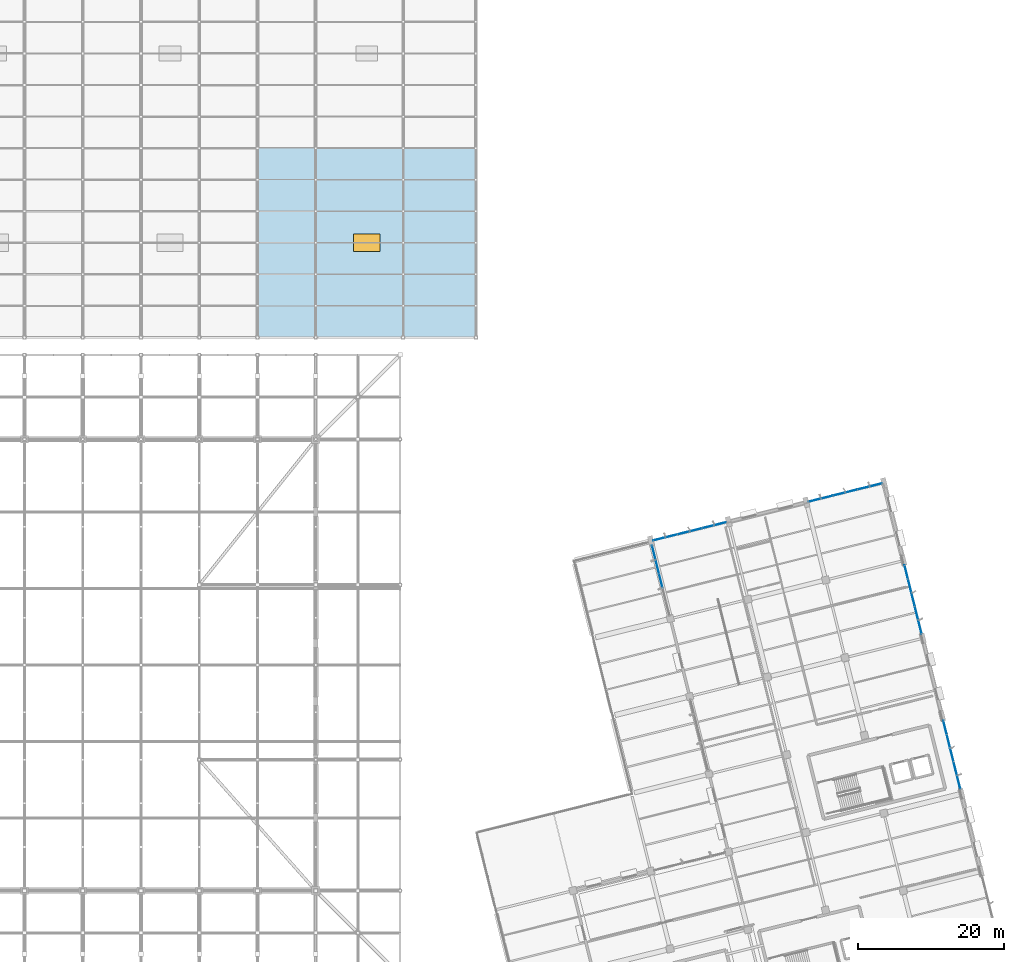
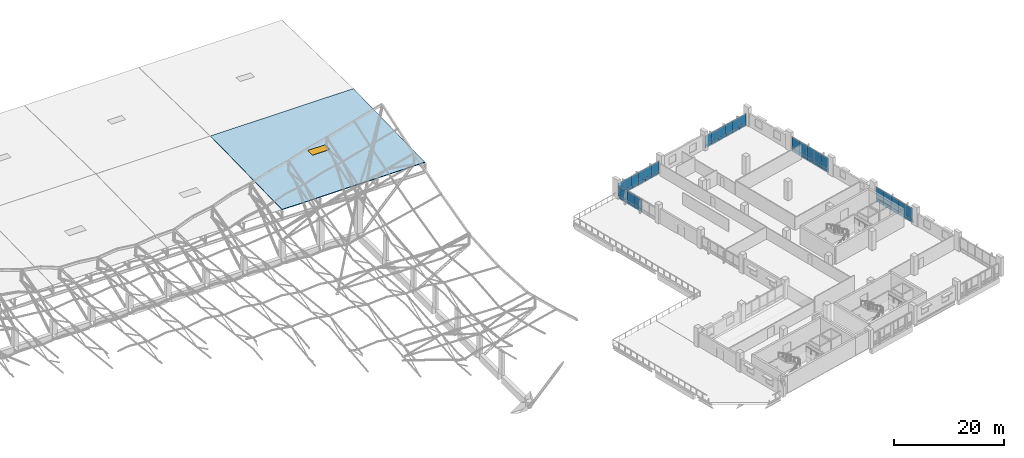
# One storey, part 58 of 75: 50 plates, 1 slab, 1 window, 1 opening, 6 elements without a shape of their own.
"""IFC4 building model written with IfcOpenShell, lengths in metres."""

import ifcopenshell
import ifcopenshell.guid

model = None  # the IFC model being written
_history = None  # IfcOwnerHistory: only IFC2X3 demands one
_inside = {}  # id of a spatial element -> (the spatial element, [elements in it])
_under = {}  # id of a project, library or spatial element -> (it, [spatial elements below it])
_declared = {}  # id of a project -> (the project, [libraries it declares])
_typed = {}  # id of a type object -> (the type object, [elements of that type])
_made_of = {}  # id of a material, layer set ... -> (it, [elements and type objects made of it])


def new_model(schema):
    """Start an empty IFC model of exactly this schema.

    Asked for "IFC4X3", IfcOpenShell would pick the latest addendum, in which some entities
    have other attributes; the version numbers below select the first issue.
    IFC2X3 requires an IfcOwnerHistory on every rooted entity: one is made here for all.
    """
    global model, _history
    if schema == "IFC4X3":
        model = ifcopenshell.file(schema_version=(4, 3, 0, 0))
    else:
        model = ifcopenshell.file(schema=schema)
    _inside.clear()
    _under.clear()
    _declared.clear()
    _typed.clear()
    _made_of.clear()
    _history = None
    if model.schema == "IFC2X3":
        org = make("IfcOrganization", Name="unknown")
        user = make(
            "IfcPersonAndOrganization",
            ThePerson=make("IfcPerson", FamilyName="unknown"),
            TheOrganization=org,
        )
        app = make(
            "IfcApplication",
            ApplicationDeveloper=org,
            Version="unknown",
            ApplicationFullName="unknown",
            ApplicationIdentifier="unknown",
        )
        _history = make(
            "IfcOwnerHistory",
            OwningUser=user,
            OwningApplication=app,
            ChangeAction="ADDED",
            CreationDate=0,
        )
    return model


def make(cls, **values):
    """One entity of the class cls with the attributes given. An attribute that is None is left unset."""
    return model.create_entity(
        cls, **{name: value for name, value in values.items() if value is not None}
    )


def rooted(cls, **values):
    """An entity with a GlobalId (a new one), such as an element, a storey or a relation."""
    return make(cls, GlobalId=ifcopenshell.guid.new(), OwnerHistory=_history, **values)


def si_unit(unit_type, name, prefix=None):
    """IfcSIUnit, for example si_unit("LENGTHUNIT", "METRE", prefix="MILLI")."""
    return make("IfcSIUnit", UnitType=unit_type, Prefix=prefix, Name=name)


def assignment(units):
    """IfcUnitAssignment: the units of a project."""
    return None if units is None else make("IfcUnitAssignment", Units=units)


def point(xyz):
    """IfcCartesianPoint."""
    return None if xyz is None else make("IfcCartesianPoint", Coordinates=xyz)


def direction(xyz):
    """IfcDirection."""
    return None if xyz is None else make("IfcDirection", DirectionRatios=xyz)


def frame(location, z_axis=None, x_axis=None):
    """IfcAxis2Placement3D, a coordinate frame: its origin and axes. An axis left out is left unset."""
    return make(
        "IfcAxis2Placement3D",
        Location=point(location),
        Axis=direction(z_axis),
        RefDirection=direction(x_axis),
    )


def frame_2d(location, x_axis=None):
    """IfcAxis2Placement2D, a coordinate frame in the plane: its origin and x axis."""
    return make(
        "IfcAxis2Placement2D", Location=point(location), RefDirection=direction(x_axis)
    )


def origin():
    """The frame at (0, 0, 0) with its axes left unset."""
    return frame((0.0, 0.0, 0.0))


def origin_2d():
    """The frame at (0, 0) in the plane with its x axis left unset."""
    return frame_2d((0.0, 0.0))


def place(relative_to, where):
    """IfcLocalPlacement: puts the frame where relative to a parent placement (None: the world)."""
    return make(
        "IfcLocalPlacement", PlacementRelTo=relative_to, RelativePlacement=where
    )


def context(
    kind, dimensions, precision=None, world=None, true_north=None, identifier=None
):
    """IfcGeometricRepresentationContext, for example the 3D "Model" context."""
    return make(
        "IfcGeometricRepresentationContext",
        ContextIdentifier=identifier,
        ContextType=kind,
        CoordinateSpaceDimension=dimensions,
        Precision=precision,
        WorldCoordinateSystem=world,
        TrueNorth=true_north,
    )


def subcontext(parent, identifier, kind, view, scale=None):
    """IfcGeometricRepresentationSubContext, for example "Body" below "Model"."""
    return make(
        "IfcGeometricRepresentationSubContext",
        ContextIdentifier=identifier,
        ContextType=kind,
        ParentContext=parent,
        TargetScale=scale,
        TargetView=view,
    )


def project(units=None, contexts=None):
    """IfcProject with its units and contexts."""
    return rooted(
        "IfcProject",
        Name="project",
        RepresentationContexts=contexts,
        UnitsInContext=assignment(units),
    )


def spatial(cls, under=None, at=None, **own):
    """A site, building, storey or space (cls), placed at a placement, below another one or the project."""
    s = rooted(cls, ObjectPlacement=at, **own)
    if under is not None:
        _under.setdefault(under.id(), (under, []))[1].append(s)
    return s


def polyline(points):
    """IfcPolyline through the points."""
    return make("IfcPolyline", Points=[point(p) for p in points])


def profile(cls, at=None, kind="AREA", **sizes):
    """A parametric profile (cls). Its sizes go by their IFC names, for example OverallWidth=200.0."""
    return make(cls, ProfileType=kind, Position=at, **sizes)


def rectangle(**sizes):
    """IfcRectangleProfileDef."""
    return profile("IfcRectangleProfileDef", **sizes)


def outline(outer, holes=None, kind="AREA"):
    """IfcArbitraryClosedProfileDef: a profile drawn as a closed curve; with holes, ...WithVoids."""
    if holes is None:
        return make("IfcArbitraryClosedProfileDef", ProfileType=kind, OuterCurve=outer)
    return make(
        "IfcArbitraryProfileDefWithVoids",
        ProfileType=kind,
        OuterCurve=outer,
        InnerCurves=holes,
    )


def extrude(swept, where, along, depth):
    """IfcExtrudedAreaSolid: the profile swept, set in the frame where, extruded along a direction by depth."""
    return make(
        "IfcExtrudedAreaSolid",
        SweptArea=swept,
        Position=where,
        ExtrudedDirection=direction(along),
        Depth=depth,
    )


def shape(context_of_items, identifier, shape_type, items):
    """IfcShapeRepresentation: the items that make up one representation, for example the "Body"."""
    return make(
        "IfcShapeRepresentation",
        ContextOfItems=context_of_items,
        RepresentationIdentifier=identifier,
        RepresentationType=shape_type,
        Items=items,
    )


def material(Name=None, Category=None):
    """IfcMaterial."""
    return make("IfcMaterial", Name=Name, Category=Category)


def layer(
    of_material, thickness, ventilated=None, Name=None, Category=None, Priority=None
):
    """IfcMaterialLayer: one layer of a wall or slab, of a material (None: an air gap)."""
    return make(
        "IfcMaterialLayer",
        Material=of_material,
        LayerThickness=thickness,
        IsVentilated=ventilated,
        Name=Name,
        Category=Category,
        Priority=Priority,
    )


def layer_set(layers, Name=None):
    """IfcMaterialLayerSet."""
    return make("IfcMaterialLayerSet", MaterialLayers=layers, LayerSetName=Name)


def made_of(thing, what):
    """Note that an element or type object is made of a material, layer set ...; save() writes the relation."""
    if what is not None:
        _made_of.setdefault(what.id(), (what, []))[1].append(thing)
    return thing


def type_object(cls, material=None, **own):
    """A type object (cls), such as IfcWallType, which elements share."""
    return made_of(rooted(cls, **own), material)


def element(
    cls,
    number,
    at=None,
    inside=None,
    cuts=None,
    type_object=None,
    material=None,
    context=None,
    identifier="Body",
    shape_type=None,
    held_by="IfcProductDefinitionShape",
    body=None,
    shapes=None,
    **own,
):
    """One element of the class cls, such as IfcWall. Its Tag is "e" and its number.

    at: its placement. inside: the storey or other place that contains it. cuts: it is an
    opening in that element (IfcRelVoidsElement). A single representation is given by context,
    identifier, shape_type and body (its items); several are given by shapes. held_by: the class
    of the entity that holds the representations. save() writes the other relations.
    """
    e = rooted(cls, Tag="e%d" % number, ObjectPlacement=at, **own)
    if body is not None:
        shapes = [shape(context, identifier, shape_type, body)]
    if shapes is not None:
        e.Representation = make(held_by, Representations=shapes)
    if inside is not None:
        _inside.setdefault(inside.id(), (inside, []))[1].append(e)
    if cuts is not None:
        rooted(
            "IfcRelVoidsElement", RelatingBuildingElement=cuts, RelatedOpeningElement=e
        )
    if type_object is not None:
        _typed.setdefault(type_object.id(), (type_object, []))[1].append(e)
    return made_of(e, material)


def fill(opening, filler):
    """IfcRelFillsElement: the door or window that sits in an opening."""
    return rooted(
        "IfcRelFillsElement",
        RelatingOpeningElement=opening,
        RelatedBuildingElement=filler,
    )


def aggregate(whole, parts):
    """IfcRelAggregates: a whole, such as a stair, and the parts it consists of."""
    return rooted("IfcRelAggregates", RelatingObject=whole, RelatedObjects=parts)


def save(model, path):
    """Write the relations noted so far, then the file.

    IfcRelAggregates (storeys below a building ...), IfcRelContainedInSpatialStructure (elements
    in a storey), IfcRelDefinesByType, IfcRelAssociatesMaterial and IfcRelDeclares: one each for
    every whole, place, type object, material and project.
    """
    for whole, parts in _under.values():
        aggregate(whole, parts)
    for where, things in _inside.values():
        rooted(
            "IfcRelContainedInSpatialStructure",
            RelatedElements=things,
            RelatingStructure=where,
        )
    for kind, things in _typed.values():
        rooted("IfcRelDefinesByType", RelatedObjects=things, RelatingType=kind)
    for what, things in _made_of.values():
        rooted("IfcRelAssociatesMaterial", RelatedObjects=things, RelatingMaterial=what)
    for by, libraries in _declared.values():
        rooted("IfcRelDeclares", RelatingContext=by, RelatedDefinitions=libraries)
    model.write(path)


model = new_model("IFC4")

# Units and contexts
model_context = context("Model", 3, precision=1e-05, world=origin(), true_north=direction((0.0, 1.0)))
body_context = subcontext(model_context, "Body", "Model", "MODEL_VIEW")
ifc_project = project(units=[si_unit("LENGTHUNIT", "METRE"), si_unit("AREAUNIT", "SQUARE_METRE"), si_unit("VOLUMEUNIT", "CUBIC_METRE"), si_unit("PLANEANGLEUNIT", "RADIAN"), si_unit("MASSUNIT", "GRAM", prefix="KILO")], contexts=[model_context])

# Site, building, storey
site_placement = place(None, origin())
site = spatial("IfcSite", under=ifc_project, at=site_placement, CompositionType="ELEMENT")
building_placement = place(site_placement, origin())
building = spatial("IfcBuilding", under=site, at=building_placement, Name="Khorjan Park Terminus", CompositionType="ELEMENT")
storey_placement = place(building_placement, frame((0.0, 0.0, 16.2)))
storey = spatial("IfcBuildingStorey", under=building, at=storey_placement, Name="L03", CompositionType="ELEMENT", Elevation=16.2)

# Curtain wall, plates
ifc_material_1 = material(Name="Anodized Bronze Aluminium", Category="aluminium")
ifc_layer_1 = layer(ifc_material_1, 0.22)
ifc_layer_set_1 = layer_set([ifc_layer_1], Name="Anodized Bronze Aluminium")
curtain_wall_type = type_object("IfcCurtainWallType", Name="CW-OPS-B", PredefinedType="NOTDEFINED", material=ifc_layer_set_1)
curtain_wall_1_placement = place(storey_placement, origin())
curtain_wall_1 = element("IfcCurtainWall", 1, at=curtain_wall_1_placement, inside=storey, type_object=curtain_wall_type, Name="Unitized curtain wall CW-B (CW-V5-E-L03-B03)", PredefinedType="NOTDEFINED")
ifc_material_2 = material(Name="Low-E Solar Control Double Glazing", Category="glass")
ifc_layer_2 = layer(ifc_material_2, 0.032)
ifc_layer_set_2 = layer_set([ifc_layer_2], Name="Low-E Solar Control Double Glazing")
plate_type_1 = type_object("IfcPlateType", Name="GL-VIS-32", PredefinedType="CURTAIN_PANEL", material=ifc_layer_set_2)
plate_1_placement = place(storey_placement, frame((224.3195, 40.9083, 0.712), z_axis=(0.0, 0.0, 1.0), x_axis=(-0.241922975976, 0.970295456907, 0.0)))
plate_1 = element("IfcPlate", 2, at=plate_1_placement, type_object=plate_type_1, Name="Curtain-wall panel VP-32 (CW-V5-E-L03-B03-0-2)", PredefinedType="CURTAIN_PANEL", context=body_context, shape_type="SweptSolid", body=[
    extrude(rectangle(XDim=1.9281, YDim=0.032, at=origin_2d()), origin(), (0.0, 0.0, 1.0), 2.533),
])
plate_2_placement = place(storey_placement, frame((223.8531, 42.7792, 0.712), z_axis=(0.0, 0.0, 1.0), x_axis=(-0.241922975976, 0.970295456907, 0.0)))
plate_2 = element("IfcPlate", 3, at=plate_2_placement, type_object=plate_type_1, Name="Curtain-wall panel VP-32 (CW-V5-E-L03-B03-1-2)", PredefinedType="CURTAIN_PANEL", context=body_context, shape_type="SweptSolid", body=[
    extrude(rectangle(XDim=1.9281, YDim=0.032, at=origin_2d()), origin(), (0.0, 0.0, 1.0), 2.533),
])
plate_3_placement = place(storey_placement, frame((223.3867, 44.6501, 0.712), z_axis=(0.0, 0.0, 1.0), x_axis=(-0.241922975976, 0.970295456907, 0.0)))
plate_3 = element("IfcPlate", 4, at=plate_3_placement, type_object=plate_type_1, Name="Curtain-wall panel VP-32 (CW-V5-E-L03-B03-2-2)", PredefinedType="CURTAIN_PANEL", context=body_context, shape_type="SweptSolid", body=[
    extrude(rectangle(XDim=1.9281, YDim=0.032, at=origin_2d()), origin(), (0.0, 0.0, 1.0), 2.533),
])
plate_4_placement = place(storey_placement, frame((222.9202, 46.5209, 0.712), z_axis=(0.0, 0.0, 1.0), x_axis=(-0.241922975976, 0.970295456907, 0.0)))
plate_4 = element("IfcPlate", 5, at=plate_4_placement, type_object=plate_type_1, Name="Curtain-wall panel VP-32 (CW-V5-E-L03-B03-3-2)", PredefinedType="CURTAIN_PANEL", context=body_context, shape_type="SweptSolid", body=[
    extrude(rectangle(XDim=1.9281, YDim=0.032, at=origin_2d()), origin(), (0.0, 0.0, 1.0), 2.533),
])
plate_5_placement = place(storey_placement, frame((222.4538, 48.3918, 0.712), z_axis=(0.0, 0.0, 1.0), x_axis=(-0.241922975976, 0.970295456907, 0.0)))
plate_5 = element("IfcPlate", 6, at=plate_5_placement, type_object=plate_type_1, Name="Curtain-wall panel VP-32 (CW-V5-E-L03-B03-4-2)", PredefinedType="CURTAIN_PANEL", context=body_context, shape_type="SweptSolid", body=[
    extrude(rectangle(XDim=1.9281, YDim=0.032, at=origin_2d()), origin(), (0.0, 0.0, 1.0), 2.533),
])

curtain_wall_2_placement = place(storey_placement, origin())
curtain_wall_2 = element("IfcCurtainWall", 7, at=curtain_wall_2_placement, inside=storey, type_object=curtain_wall_type, Name="Unitized curtain wall CW-B (CW-V5-N-L03-B03)", PredefinedType="NOTDEFINED")
plate_6_placement = place(storey_placement, frame((191.5697, 76.3957, 0.619), z_axis=(0.0, 0.0, 1.0), x_axis=(-0.970295910648, -0.241921156122, 0.0)))
plate_6 = element("IfcPlate", 8, at=plate_6_placement, type_object=plate_type_1, Name="Curtain-wall panel VP-32 (CW-V5-N-L03-B03-0-2)", PredefinedType="CURTAIN_PANEL", context=body_context, shape_type="SweptSolid", body=[
    extrude(rectangle(XDim=1.7233, YDim=0.032, at=origin_2d()), origin(), (0.0, 0.0, 1.0), 2.206),
])
plate_7_placement = place(storey_placement, frame((189.8976, 75.9788, 0.619), z_axis=(0.0, 0.0, 1.0), x_axis=(-0.970295910648, -0.241921156122, 0.0)))
plate_7 = element("IfcPlate", 9, at=plate_7_placement, type_object=plate_type_1, Name="Curtain-wall panel VP-32 (CW-V5-N-L03-B03-1-2)", PredefinedType="CURTAIN_PANEL", context=body_context, shape_type="SweptSolid", body=[
    extrude(rectangle(XDim=1.7233, YDim=0.032, at=origin_2d()), origin(), (0.0, 0.0, 1.0), 2.206),
])
plate_8_placement = place(storey_placement, frame((188.2255, 75.5619, 0.619), z_axis=(0.0, 0.0, 1.0), x_axis=(-0.970295910648, -0.241921156122, 0.0)))
plate_8 = element("IfcPlate", 10, at=plate_8_placement, type_object=plate_type_1, Name="Curtain-wall panel VP-32 (CW-V5-N-L03-B03-2-2)", PredefinedType="CURTAIN_PANEL", context=body_context, shape_type="SweptSolid", body=[
    extrude(rectangle(XDim=1.7233, YDim=0.032, at=origin_2d()), origin(), (0.0, 0.0, 1.0), 2.206),
])
plate_9_placement = place(storey_placement, frame((186.5534, 75.145, 0.619), z_axis=(0.0, 0.0, 1.0), x_axis=(-0.970295910648, -0.241921156122, 0.0)))
plate_9 = element("IfcPlate", 11, at=plate_9_placement, type_object=plate_type_1, Name="Curtain-wall panel VP-32 (CW-V5-N-L03-B03-3-2)", PredefinedType="CURTAIN_PANEL", context=body_context, shape_type="SweptSolid", body=[
    extrude(rectangle(XDim=1.7233, YDim=0.032, at=origin_2d()), origin(), (0.0, 0.0, 1.0), 2.206),
])
plate_10_placement = place(storey_placement, frame((184.8813, 74.7281, 0.619), z_axis=(0.0, 0.0, 1.0), x_axis=(-0.970295910648, -0.241921156122, 0.0)))
plate_10 = element("IfcPlate", 12, at=plate_10_placement, type_object=plate_type_1, Name="Curtain-wall panel VP-32 (CW-V5-N-L03-B03-4-2)", PredefinedType="CURTAIN_PANEL", context=body_context, shape_type="SweptSolid", body=[
    extrude(rectangle(XDim=1.7233, YDim=0.032, at=origin_2d()), origin(), (0.0, 0.0, 1.0), 2.206),
])
plate_11_placement = place(storey_placement, frame((183.2092, 74.3113, 0.619), z_axis=(0.0, 0.0, 1.0), x_axis=(-0.970295910648, -0.241921156122, 0.0)))
plate_11 = element("IfcPlate", 13, at=plate_11_placement, type_object=plate_type_1, Name="Curtain-wall panel VP-32 (CW-V5-N-L03-B03-5-2)", PredefinedType="CURTAIN_PANEL", context=body_context, shape_type="SweptSolid", body=[
    extrude(rectangle(XDim=1.7233, YDim=0.032, at=origin_2d()), origin(), (0.0, 0.0, 1.0), 2.206),
])

curtain_wall_3_placement = place(storey_placement, origin())
curtain_wall_3 = element("IfcCurtainWall", 14, at=curtain_wall_3_placement, inside=storey, type_object=curtain_wall_type, Name="Unitized curtain wall CW-B (CW-V5-E-L03-B05)", PredefinedType="NOTDEFINED")
ifc_material_3 = material(Name="Acoustic Laminated Solar Glazing", Category="glass")
ifc_layer_3 = layer(ifc_material_3, 0.036)
ifc_layer_set_3 = layer_set([ifc_layer_3], Name="Acoustic Laminated Solar Glazing")
plate_type_2 = type_object("IfcPlateType", Name="GL-VIS-36", PredefinedType="CURTAIN_PANEL", material=ifc_layer_set_3)
plate_12_placement = place(storey_placement, frame((218.9973, 62.2552, 0.714), z_axis=(0.0, 0.0, 1.0), x_axis=(-0.241935125171, 0.970292427678, 0.0)))
plate_12 = element("IfcPlate", 15, at=plate_12_placement, type_object=plate_type_2, Name="Curtain-wall panel VP-36 (CW-V5-E-L03-B05-0-2)", PredefinedType="CURTAIN_PANEL", context=body_context, shape_type="SweptSolid", body=[
    extrude(rectangle(XDim=1.928, YDim=0.036, at=origin_2d()), origin(), (0.0, 0.0, 1.0), 2.541),
])
plate_13_placement = place(storey_placement, frame((218.5308, 64.1258, 0.714), z_axis=(0.0, 0.0, 1.0), x_axis=(-0.241935125171, 0.970292427678, 0.0)))
plate_13 = element("IfcPlate", 16, at=plate_13_placement, type_object=plate_type_2, Name="Curtain-wall panel VP-36 (CW-V5-E-L03-B05-1-2)", PredefinedType="CURTAIN_PANEL", context=body_context, shape_type="SweptSolid", body=[
    extrude(rectangle(XDim=1.928, YDim=0.036, at=origin_2d()), origin(), (0.0, 0.0, 1.0), 2.541),
])
plate_14_placement = place(storey_placement, frame((218.0644, 65.9965, 0.714), z_axis=(0.0, 0.0, 1.0), x_axis=(-0.241935125171, 0.970292427678, 0.0)))
plate_14 = element("IfcPlate", 17, at=plate_14_placement, type_object=plate_type_2, Name="Curtain-wall panel VP-36 (CW-V5-E-L03-B05-2-2)", PredefinedType="CURTAIN_PANEL", context=body_context, shape_type="SweptSolid", body=[
    extrude(rectangle(XDim=1.928, YDim=0.036, at=origin_2d()), origin(), (0.0, 0.0, 1.0), 2.541),
])
plate_15_placement = place(storey_placement, frame((217.5979, 67.8671, 0.714), z_axis=(0.0, 0.0, 1.0), x_axis=(-0.241935125171, 0.970292427678, 0.0)))
plate_15 = element("IfcPlate", 18, at=plate_15_placement, type_object=plate_type_2, Name="Curtain-wall panel VP-36 (CW-V5-E-L03-B05-3-2)", PredefinedType="CURTAIN_PANEL", context=body_context, shape_type="SweptSolid", body=[
    extrude(rectangle(XDim=1.928, YDim=0.036, at=origin_2d()), origin(), (0.0, 0.0, 1.0), 2.541),
])
plate_16_placement = place(storey_placement, frame((217.1315, 69.7378, 0.714), z_axis=(0.0, 0.0, 1.0), x_axis=(-0.241935125171, 0.970292427678, 0.0)))
plate_16 = element("IfcPlate", 19, at=plate_16_placement, type_object=plate_type_2, Name="Curtain-wall panel VP-36 (CW-V5-E-L03-B05-4-2)", PredefinedType="CURTAIN_PANEL", context=body_context, shape_type="SweptSolid", body=[
    extrude(rectangle(XDim=1.928, YDim=0.036, at=origin_2d()), origin(), (0.0, 0.0, 1.0), 2.541),
])

curtain_wall_4_placement = place(storey_placement, origin())
curtain_wall_4 = element("IfcCurtainWall", 20, at=curtain_wall_4_placement, inside=storey, type_object=curtain_wall_type, Name="Unitized curtain wall CW-B (CW-V5-N-L03-B01)", PredefinedType="NOTDEFINED")
plate_17_placement = place(storey_placement, frame((212.9166, 81.7181, 0.586), z_axis=(0.0, 0.0, 1.0), x_axis=(-0.970294194364, -0.241928039679, 0.0)))
plate_17 = element("IfcPlate", 21, at=plate_17_placement, type_object=plate_type_2, Name="Curtain-wall panel VP-36 (CW-V5-N-L03-B01-0-2)", PredefinedType="CURTAIN_PANEL", context=body_context, shape_type="SweptSolid", body=[
    extrude(rectangle(XDim=1.7234, YDim=0.036, at=origin_2d()), origin(), (0.0, 0.0, 1.0), 2.089),
])
plate_18_placement = place(storey_placement, frame((211.2443, 81.3012, 0.586), z_axis=(0.0, 0.0, 1.0), x_axis=(-0.970294194364, -0.241928039679, 0.0)))
plate_18 = element("IfcPlate", 22, at=plate_18_placement, type_object=plate_type_2, Name="Curtain-wall panel VP-36 (CW-V5-N-L03-B01-1-2)", PredefinedType="CURTAIN_PANEL", context=body_context, shape_type="SweptSolid", body=[
    extrude(rectangle(XDim=1.7234, YDim=0.036, at=origin_2d()), origin(), (0.0, 0.0, 1.0), 2.089),
])
plate_19_placement = place(storey_placement, frame((209.5721, 80.8842, 0.586), z_axis=(0.0, 0.0, 1.0), x_axis=(-0.970294194364, -0.241928039679, 0.0)))
plate_19 = element("IfcPlate", 23, at=plate_19_placement, type_object=plate_type_2, Name="Curtain-wall panel VP-36 (CW-V5-N-L03-B01-2-2)", PredefinedType="CURTAIN_PANEL", context=body_context, shape_type="SweptSolid", body=[
    extrude(rectangle(XDim=1.7234, YDim=0.036, at=origin_2d()), origin(), (0.0, 0.0, 1.0), 2.089),
])
plate_20_placement = place(storey_placement, frame((207.8999, 80.4673, 0.586), z_axis=(0.0, 0.0, 1.0), x_axis=(-0.970294194364, -0.241928039679, 0.0)))
plate_20 = element("IfcPlate", 24, at=plate_20_placement, type_object=plate_type_2, Name="Curtain-wall panel VP-36 (CW-V5-N-L03-B01-3-2)", PredefinedType="CURTAIN_PANEL", context=body_context, shape_type="SweptSolid", body=[
    extrude(rectangle(XDim=1.7234, YDim=0.036, at=origin_2d()), origin(), (0.0, 0.0, 1.0), 2.089),
])
plate_21_placement = place(storey_placement, frame((206.2276, 80.0503, 0.586), z_axis=(0.0, 0.0, 1.0), x_axis=(-0.970294194364, -0.241928039679, 0.0)))
plate_21 = element("IfcPlate", 25, at=plate_21_placement, type_object=plate_type_2, Name="Curtain-wall panel VP-36 (CW-V5-N-L03-B01-4-2)", PredefinedType="CURTAIN_PANEL", context=body_context, shape_type="SweptSolid", body=[
    extrude(rectangle(XDim=1.7234, YDim=0.036, at=origin_2d()), origin(), (0.0, 0.0, 1.0), 2.089),
])
plate_22_placement = place(storey_placement, frame((204.5553, 79.6334, 0.586), z_axis=(0.0, 0.0, 1.0), x_axis=(-0.970294194364, -0.241928039679, 0.0)))
plate_22 = element("IfcPlate", 26, at=plate_22_placement, type_object=plate_type_2, Name="Curtain-wall panel VP-36 (CW-V5-N-L03-B01-5-2)", PredefinedType="CURTAIN_PANEL", context=body_context, shape_type="SweptSolid", body=[
    extrude(rectangle(XDim=1.7234, YDim=0.036, at=origin_2d()), origin(), (0.0, 0.0, 1.0), 2.089),
])

curtain_wall_5_placement = place(storey_placement, origin())
curtain_wall_5 = element("IfcCurtainWall", 27, at=curtain_wall_5_placement, inside=storey, type_object=curtain_wall_type, Name="Unitized curtain wall CW-B (CW-V5-NW1-L03-B01)", PredefinedType="NOTDEFINED")
plate_23_placement = place(storey_placement, frame((182.4561, 72.406, 0.63), z_axis=(0.0, 0.0, 1.0), x_axis=(0.241922578481, -0.970295556014, 0.0)))
plate_23 = element("IfcPlate", 28, at=plate_23_placement, type_object=plate_type_2, Name="Curtain-wall panel VP-36 (CW-V5-NW1-L03-B01-0-2)", PredefinedType="CURTAIN_PANEL", context=body_context, shape_type="SweptSolid", body=[
    extrude(rectangle(XDim=1.9729, YDim=0.036, at=origin_2d()), origin(), (0.0, 0.0, 1.0), 2.245),
])
plate_24_placement = place(storey_placement, frame((182.9334, 70.4917, 0.63), z_axis=(0.0, 0.0, 1.0), x_axis=(0.241922578481, -0.970295556014, 0.0)))
plate_24 = element("IfcPlate", 29, at=plate_24_placement, type_object=plate_type_2, Name="Curtain-wall panel VP-36 (CW-V5-NW1-L03-B01-1-2)", PredefinedType="CURTAIN_PANEL", context=body_context, shape_type="SweptSolid", body=[
    extrude(rectangle(XDim=1.9729, YDim=0.036, at=origin_2d()), origin(), (0.0, 0.0, 1.0), 2.245),
])
plate_25_placement = place(storey_placement, frame((183.4107, 68.5773, 0.63), z_axis=(0.0, 0.0, 1.0), x_axis=(0.241922578481, -0.970295556014, 0.0)))
plate_25 = element("IfcPlate", 30, at=plate_25_placement, type_object=plate_type_2, Name="Curtain-wall panel VP-36 (CW-V5-NW1-L03-B01-2-2)", PredefinedType="CURTAIN_PANEL", context=body_context, shape_type="SweptSolid", body=[
    extrude(rectangle(XDim=1.9729, YDim=0.036, at=origin_2d()), origin(), (0.0, 0.0, 1.0), 2.245),
])

# Roof, slab, opening, window
ifc_material_4 = material(Name="Steel S355", Category="steel")
ifc_layer_4 = layer(ifc_material_4, 0.15)
ifc_layer_set_4 = layer_set([ifc_layer_4], Name="Steel S355")
roof_type = type_object("IfcRoofType", Name="RF-FLAT-SHED", PredefinedType="FLAT_ROOF", material=ifc_layer_set_4)
roof_placement = place(storey_placement, origin())
roof = element("IfcRoof", 31, at=roof_placement, inside=storey, type_object=roof_type, Name="Train shed low-slope flat roof assembly RF-SH1 (Zone 6)", PredefinedType="FLAT_ROOF")
ifc_material_5 = material(Name="Concrete C40/50", Category="concrete")
ifc_layer_5 = layer(ifc_material_5, 0.15)
ifc_layer_set_5 = layer_set([ifc_layer_5], Name="Concrete C40/50")
slab_type = type_object("IfcSlabType", Name="SL-ROOF-150", PredefinedType="ROOF", material=ifc_layer_set_5)
slab_placement = place(storey_placement, frame((128.03, 102.01, -0.81), z_axis=(0.0, -0.021165388508, 0.999775988074), x_axis=(1.0, 0.0, 0.0)))
slab = element("IfcSlab", 32, at=slab_placement, type_object=slab_type, Name="Train shed low-slope flat roof panel RS-15 (11)", PredefinedType="ROOF", context=body_context, shape_type="SweptSolid", body=[
    extrude(outline(polyline([(0.0, 0.0), (29.97, 0.0), (29.97, 25.985821133841423), (0.0, 25.985821133841423), (0.0, 0.0)])), origin(), (0.0, 0.0, -1.0), 0.15),
])
opening_placement = place(storey_placement, frame((143.015, 115.0, -0.685), z_axis=(0.0, 0.0, 1.0), x_axis=(1.0, 0.0, 0.0)))
opening = element("IfcOpeningElement", 33, at=opening_placement, cuts=slab, Name="Opening SK-01", PredefinedType="OPENING", context=body_context, shape_type="SweptSolid", body=[
    extrude(rectangle(XDim=3.6, YDim=2.4, at=origin_2d()), frame((0.0, 0.0, -0.01)), (0.0, 0.0, 1.0), 0.17),
])
ifc_material_6 = material(Name="Thermally Broken Aluminium & Laminated Solar Glass", Category="aluminium")
window_type = type_object("IfcWindowType", Name="SK-36", PartitioningType="SINGLE_PANEL", PredefinedType="SKYLIGHT", material=ifc_material_6)
window_placement = place(opening_placement, frame((0.0, 0.0, 0.09)))
window = element("IfcWindow", 34, at=window_placement, inside=storey, type_object=window_type, Name="Train shed roof skylight SK-01 (11)", OverallHeight=2.4, OverallWidth=3.6, PartitioningType="SINGLE_PANEL", PredefinedType="SKYLIGHT", context=body_context, shape_type="SweptSolid", body=[
    extrude(rectangle(XDim=3.6, YDim=2.4, at=origin_2d()), origin(), (0.0, 0.0, 1.0), 0.06),
])
fill(opening, window)
aggregate(roof, [slab])

# Plate
ifc_material_7 = material(Name="Insulated Bronze-Composite Spandrel Panel")
ifc_layer_6 = layer(ifc_material_7, 0.055)
ifc_layer_set_6 = layer_set([ifc_layer_6], Name="Insulated Bronze-Composite Spandrel Panel")
plate_type_3 = type_object("IfcPlateType", Name="SP-AL-55", PredefinedType="CURTAIN_PANEL", material=ifc_layer_set_6)
plate_26_placement = place(storey_placement, frame((224.3195, 40.9083, -0.01), z_axis=(0.0, 0.0, 1.0), x_axis=(-0.241922975976, 0.970295456907, 0.0)))
plate_26 = element("IfcPlate", 35, at=plate_26_placement, type_object=plate_type_3, Name="Curtain-wall panel SP-A55 (CW-V5-E-L03-B03-0-1)", PredefinedType="CURTAIN_PANEL", context=body_context, shape_type="SweptSolid", body=[
    extrude(rectangle(XDim=1.9281, YDim=0.055, at=origin_2d()), origin(), (0.0, 0.0, 1.0), 0.722),
])

plate_27_placement = place(storey_placement, frame((223.8531, 42.7792, -0.01), z_axis=(0.0, 0.0, 1.0), x_axis=(-0.241922975976, 0.970295456907, 0.0)))
plate_27 = element("IfcPlate", 36, at=plate_27_placement, type_object=plate_type_3, Name="Curtain-wall panel SP-A55 (CW-V5-E-L03-B03-1-1)", PredefinedType="CURTAIN_PANEL", context=body_context, shape_type="SweptSolid", body=[
    extrude(rectangle(XDim=1.9281, YDim=0.055, at=origin_2d()), origin(), (0.0, 0.0, 1.0), 0.722),
])

plate_28_placement = place(storey_placement, frame((223.3867, 44.6501, -0.01), z_axis=(0.0, 0.0, 1.0), x_axis=(-0.241922975976, 0.970295456907, 0.0)))
plate_28 = element("IfcPlate", 37, at=plate_28_placement, type_object=plate_type_3, Name="Curtain-wall panel SP-A55 (CW-V5-E-L03-B03-2-1)", PredefinedType="CURTAIN_PANEL", context=body_context, shape_type="SweptSolid", body=[
    extrude(rectangle(XDim=1.9281, YDim=0.055, at=origin_2d()), origin(), (0.0, 0.0, 1.0), 0.722),
])

plate_29_placement = place(storey_placement, frame((222.9202, 46.5209, -0.01), z_axis=(0.0, 0.0, 1.0), x_axis=(-0.241922975976, 0.970295456907, 0.0)))
plate_29 = element("IfcPlate", 38, at=plate_29_placement, type_object=plate_type_3, Name="Curtain-wall panel SP-A55 (CW-V5-E-L03-B03-3-1)", PredefinedType="CURTAIN_PANEL", context=body_context, shape_type="SweptSolid", body=[
    extrude(rectangle(XDim=1.9281, YDim=0.055, at=origin_2d()), origin(), (0.0, 0.0, 1.0), 0.722),
])

plate_30_placement = place(storey_placement, frame((222.4538, 48.3918, -0.01), z_axis=(0.0, 0.0, 1.0), x_axis=(-0.241922975976, 0.970295456907, 0.0)))
plate_30 = element("IfcPlate", 39, at=plate_30_placement, type_object=plate_type_3, Name="Curtain-wall panel SP-A55 (CW-V5-E-L03-B03-4-1)", PredefinedType="CURTAIN_PANEL", context=body_context, shape_type="SweptSolid", body=[
    extrude(rectangle(XDim=1.9281, YDim=0.055, at=origin_2d()), origin(), (0.0, 0.0, 1.0), 0.722),
])

aggregate(curtain_wall_1, [plate_26, plate_1, plate_27, plate_2, plate_28, plate_3, plate_29, plate_4, plate_30, plate_5])

plate_31_placement = place(storey_placement, frame((218.9973, 62.2552, -0.01), z_axis=(0.0, 0.0, 1.0), x_axis=(-0.241935125171, 0.970292427678, 0.0)))
plate_31 = element("IfcPlate", 40, at=plate_31_placement, type_object=plate_type_3, Name="Curtain-wall panel SP-A55 (CW-V5-E-L03-B05-0-1)", PredefinedType="CURTAIN_PANEL", context=body_context, shape_type="SweptSolid", body=[
    extrude(rectangle(XDim=1.928, YDim=0.055, at=origin_2d()), origin(), (0.0, 0.0, 1.0), 0.724),
])

plate_32_placement = place(storey_placement, frame((218.5308, 64.1258, -0.01), z_axis=(0.0, 0.0, 1.0), x_axis=(-0.241935125171, 0.970292427678, 0.0)))
plate_32 = element("IfcPlate", 41, at=plate_32_placement, type_object=plate_type_3, Name="Curtain-wall panel SP-A55 (CW-V5-E-L03-B05-1-1)", PredefinedType="CURTAIN_PANEL", context=body_context, shape_type="SweptSolid", body=[
    extrude(rectangle(XDim=1.928, YDim=0.055, at=origin_2d()), origin(), (0.0, 0.0, 1.0), 0.724),
])

plate_33_placement = place(storey_placement, frame((218.0644, 65.9965, -0.01), z_axis=(0.0, 0.0, 1.0), x_axis=(-0.241935125171, 0.970292427678, 0.0)))
plate_33 = element("IfcPlate", 42, at=plate_33_placement, type_object=plate_type_3, Name="Curtain-wall panel SP-A55 (CW-V5-E-L03-B05-2-1)", PredefinedType="CURTAIN_PANEL", context=body_context, shape_type="SweptSolid", body=[
    extrude(rectangle(XDim=1.928, YDim=0.055, at=origin_2d()), origin(), (0.0, 0.0, 1.0), 0.724),
])

plate_34_placement = place(storey_placement, frame((217.5979, 67.8671, -0.01), z_axis=(0.0, 0.0, 1.0), x_axis=(-0.241935125171, 0.970292427678, 0.0)))
plate_34 = element("IfcPlate", 43, at=plate_34_placement, type_object=plate_type_3, Name="Curtain-wall panel SP-A55 (CW-V5-E-L03-B05-3-1)", PredefinedType="CURTAIN_PANEL", context=body_context, shape_type="SweptSolid", body=[
    extrude(rectangle(XDim=1.928, YDim=0.055, at=origin_2d()), origin(), (0.0, 0.0, 1.0), 0.724),
])

plate_35_placement = place(storey_placement, frame((217.1315, 69.7378, -0.01), z_axis=(0.0, 0.0, 1.0), x_axis=(-0.241935125171, 0.970292427678, 0.0)))
plate_35 = element("IfcPlate", 44, at=plate_35_placement, type_object=plate_type_3, Name="Curtain-wall panel SP-A55 (CW-V5-E-L03-B05-4-1)", PredefinedType="CURTAIN_PANEL", context=body_context, shape_type="SweptSolid", body=[
    extrude(rectangle(XDim=1.928, YDim=0.055, at=origin_2d()), origin(), (0.0, 0.0, 1.0), 0.724),
])

aggregate(curtain_wall_3, [plate_31, plate_12, plate_32, plate_13, plate_33, plate_14, plate_34, plate_15, plate_35, plate_16])

plate_36_placement = place(storey_placement, frame((212.9166, 81.7181, -0.01), z_axis=(0.0, 0.0, 1.0), x_axis=(-0.970294194364, -0.241928039679, 0.0)))
plate_36 = element("IfcPlate", 45, at=plate_36_placement, type_object=plate_type_3, Name="Curtain-wall panel SP-A55 (CW-V5-N-L03-B01-0-1)", PredefinedType="CURTAIN_PANEL", context=body_context, shape_type="SweptSolid", body=[
    extrude(rectangle(XDim=1.7234, YDim=0.055, at=origin_2d()), origin(), (0.0, 0.0, 1.0), 0.596),
])

plate_37_placement = place(storey_placement, frame((211.2443, 81.3012, -0.01), z_axis=(0.0, 0.0, 1.0), x_axis=(-0.970294194364, -0.241928039679, 0.0)))
plate_37 = element("IfcPlate", 46, at=plate_37_placement, type_object=plate_type_3, Name="Curtain-wall panel SP-A55 (CW-V5-N-L03-B01-1-1)", PredefinedType="CURTAIN_PANEL", context=body_context, shape_type="SweptSolid", body=[
    extrude(rectangle(XDim=1.7234, YDim=0.055, at=origin_2d()), origin(), (0.0, 0.0, 1.0), 0.596),
])

plate_38_placement = place(storey_placement, frame((209.5721, 80.8842, -0.01), z_axis=(0.0, 0.0, 1.0), x_axis=(-0.970294194364, -0.241928039679, 0.0)))
plate_38 = element("IfcPlate", 47, at=plate_38_placement, type_object=plate_type_3, Name="Curtain-wall panel SP-A55 (CW-V5-N-L03-B01-2-1)", PredefinedType="CURTAIN_PANEL", context=body_context, shape_type="SweptSolid", body=[
    extrude(rectangle(XDim=1.7234, YDim=0.055, at=origin_2d()), origin(), (0.0, 0.0, 1.0), 0.596),
])

plate_39_placement = place(storey_placement, frame((207.8999, 80.4673, -0.01), z_axis=(0.0, 0.0, 1.0), x_axis=(-0.970294194364, -0.241928039679, 0.0)))
plate_39 = element("IfcPlate", 48, at=plate_39_placement, type_object=plate_type_3, Name="Curtain-wall panel SP-A55 (CW-V5-N-L03-B01-3-1)", PredefinedType="CURTAIN_PANEL", context=body_context, shape_type="SweptSolid", body=[
    extrude(rectangle(XDim=1.7234, YDim=0.055, at=origin_2d()), origin(), (0.0, 0.0, 1.0), 0.596),
])

plate_40_placement = place(storey_placement, frame((206.2276, 80.0503, -0.01), z_axis=(0.0, 0.0, 1.0), x_axis=(-0.970294194364, -0.241928039679, 0.0)))
plate_40 = element("IfcPlate", 49, at=plate_40_placement, type_object=plate_type_3, Name="Curtain-wall panel SP-A55 (CW-V5-N-L03-B01-4-1)", PredefinedType="CURTAIN_PANEL", context=body_context, shape_type="SweptSolid", body=[
    extrude(rectangle(XDim=1.7234, YDim=0.055, at=origin_2d()), origin(), (0.0, 0.0, 1.0), 0.596),
])

plate_41_placement = place(storey_placement, frame((204.5553, 79.6334, -0.01), z_axis=(0.0, 0.0, 1.0), x_axis=(-0.970294194364, -0.241928039679, 0.0)))
plate_41 = element("IfcPlate", 50, at=plate_41_placement, type_object=plate_type_3, Name="Curtain-wall panel SP-A55 (CW-V5-N-L03-B01-5-1)", PredefinedType="CURTAIN_PANEL", context=body_context, shape_type="SweptSolid", body=[
    extrude(rectangle(XDim=1.7234, YDim=0.055, at=origin_2d()), origin(), (0.0, 0.0, 1.0), 0.596),
])

aggregate(curtain_wall_4, [plate_36, plate_17, plate_37, plate_18, plate_38, plate_19, plate_39, plate_20, plate_40, plate_21, plate_41, plate_22])

plate_42_placement = place(storey_placement, frame((191.5697, 76.3957, -0.01), z_axis=(0.0, 0.0, 1.0), x_axis=(-0.970295910648, -0.241921156122, 0.0)))
plate_42 = element("IfcPlate", 51, at=plate_42_placement, type_object=plate_type_3, Name="Curtain-wall panel SP-A55 (CW-V5-N-L03-B03-0-1)", PredefinedType="CURTAIN_PANEL", context=body_context, shape_type="SweptSolid", body=[
    extrude(rectangle(XDim=1.7233, YDim=0.055, at=origin_2d()), origin(), (0.0, 0.0, 1.0), 0.629),
])

plate_43_placement = place(storey_placement, frame((189.8976, 75.9788, -0.01), z_axis=(0.0, 0.0, 1.0), x_axis=(-0.970295910648, -0.241921156122, 0.0)))
plate_43 = element("IfcPlate", 52, at=plate_43_placement, type_object=plate_type_3, Name="Curtain-wall panel SP-A55 (CW-V5-N-L03-B03-1-1)", PredefinedType="CURTAIN_PANEL", context=body_context, shape_type="SweptSolid", body=[
    extrude(rectangle(XDim=1.7233, YDim=0.055, at=origin_2d()), origin(), (0.0, 0.0, 1.0), 0.629),
])

plate_44_placement = place(storey_placement, frame((188.2255, 75.5619, -0.01), z_axis=(0.0, 0.0, 1.0), x_axis=(-0.970295910648, -0.241921156122, 0.0)))
plate_44 = element("IfcPlate", 53, at=plate_44_placement, type_object=plate_type_3, Name="Curtain-wall panel SP-A55 (CW-V5-N-L03-B03-2-1)", PredefinedType="CURTAIN_PANEL", context=body_context, shape_type="SweptSolid", body=[
    extrude(rectangle(XDim=1.7233, YDim=0.055, at=origin_2d()), origin(), (0.0, 0.0, 1.0), 0.629),
])

plate_45_placement = place(storey_placement, frame((186.5534, 75.145, -0.01), z_axis=(0.0, 0.0, 1.0), x_axis=(-0.970295910648, -0.241921156122, 0.0)))
plate_45 = element("IfcPlate", 54, at=plate_45_placement, type_object=plate_type_3, Name="Curtain-wall panel SP-A55 (CW-V5-N-L03-B03-3-1)", PredefinedType="CURTAIN_PANEL", context=body_context, shape_type="SweptSolid", body=[
    extrude(rectangle(XDim=1.7233, YDim=0.055, at=origin_2d()), origin(), (0.0, 0.0, 1.0), 0.629),
])

plate_46_placement = place(storey_placement, frame((184.8813, 74.7281, -0.01), z_axis=(0.0, 0.0, 1.0), x_axis=(-0.970295910648, -0.241921156122, 0.0)))
plate_46 = element("IfcPlate", 55, at=plate_46_placement, type_object=plate_type_3, Name="Curtain-wall panel SP-A55 (CW-V5-N-L03-B03-4-1)", PredefinedType="CURTAIN_PANEL", context=body_context, shape_type="SweptSolid", body=[
    extrude(rectangle(XDim=1.7233, YDim=0.055, at=origin_2d()), origin(), (0.0, 0.0, 1.0), 0.629),
])

plate_47_placement = place(storey_placement, frame((183.2092, 74.3113, -0.01), z_axis=(0.0, 0.0, 1.0), x_axis=(-0.970295910648, -0.241921156122, 0.0)))
plate_47 = element("IfcPlate", 56, at=plate_47_placement, type_object=plate_type_3, Name="Curtain-wall panel SP-A55 (CW-V5-N-L03-B03-5-1)", PredefinedType="CURTAIN_PANEL", context=body_context, shape_type="SweptSolid", body=[
    extrude(rectangle(XDim=1.7233, YDim=0.055, at=origin_2d()), origin(), (0.0, 0.0, 1.0), 0.629),
])

aggregate(curtain_wall_2, [plate_42, plate_6, plate_43, plate_7, plate_44, plate_8, plate_45, plate_9, plate_46, plate_10, plate_47, plate_11])

plate_48_placement = place(storey_placement, frame((182.4561, 72.406, -0.01), z_axis=(0.0, 0.0, 1.0), x_axis=(0.241922578481, -0.970295556014, 0.0)))
plate_48 = element("IfcPlate", 57, at=plate_48_placement, type_object=plate_type_3, Name="Curtain-wall panel SP-A55 (CW-V5-NW1-L03-B01-0-1)", PredefinedType="CURTAIN_PANEL", context=body_context, shape_type="SweptSolid", body=[
    extrude(rectangle(XDim=1.9729, YDim=0.055, at=origin_2d()), origin(), (0.0, 0.0, 1.0), 0.64),
])

plate_49_placement = place(storey_placement, frame((182.9334, 70.4917, -0.01), z_axis=(0.0, 0.0, 1.0), x_axis=(0.241922578481, -0.970295556014, 0.0)))
plate_49 = element("IfcPlate", 58, at=plate_49_placement, type_object=plate_type_3, Name="Curtain-wall panel SP-A55 (CW-V5-NW1-L03-B01-1-1)", PredefinedType="CURTAIN_PANEL", context=body_context, shape_type="SweptSolid", body=[
    extrude(rectangle(XDim=1.9729, YDim=0.055, at=origin_2d()), origin(), (0.0, 0.0, 1.0), 0.64),
])

plate_50_placement = place(storey_placement, frame((183.4107, 68.5773, -0.01), z_axis=(0.0, 0.0, 1.0), x_axis=(0.241922578481, -0.970295556014, 0.0)))
plate_50 = element("IfcPlate", 59, at=plate_50_placement, type_object=plate_type_3, Name="Curtain-wall panel SP-A55 (CW-V5-NW1-L03-B01-2-1)", PredefinedType="CURTAIN_PANEL", context=body_context, shape_type="SweptSolid", body=[
    extrude(rectangle(XDim=1.9729, YDim=0.055, at=origin_2d()), origin(), (0.0, 0.0, 1.0), 0.64),
])

aggregate(curtain_wall_5, [plate_48, plate_23, plate_49, plate_24, plate_50, plate_25])

save(model, "model.ifc")
